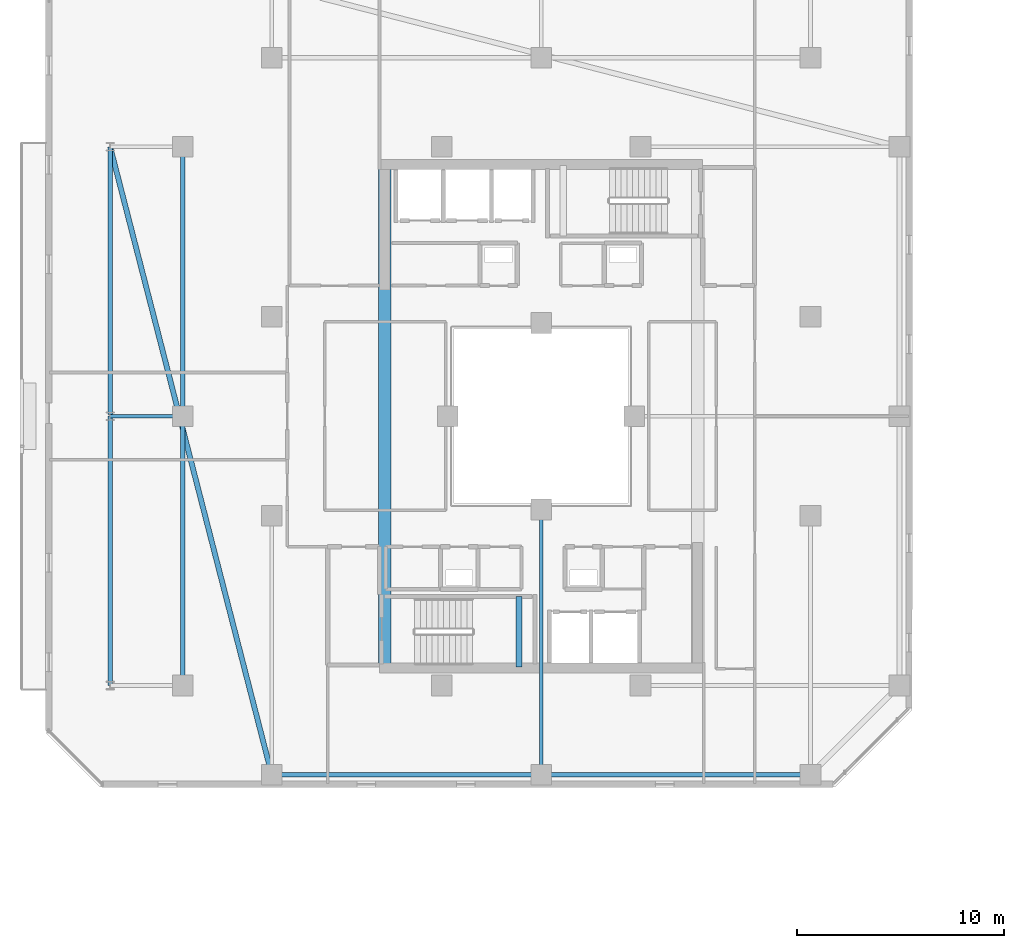
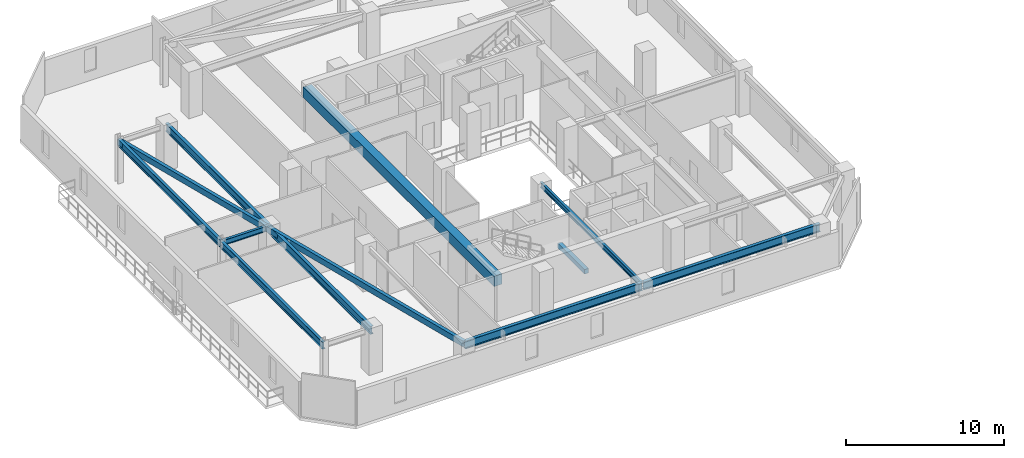
# One storey, part 4 of 33: 11 beams.
"""IFC4 building model written with IfcOpenShell, lengths in metres."""

import ifcopenshell
import ifcopenshell.guid

model = None  # the IFC model being written
_history = None  # IfcOwnerHistory: only IFC2X3 demands one
_inside = {}  # id of a spatial element -> (the spatial element, [elements in it])
_under = {}  # id of a project, library or spatial element -> (it, [spatial elements below it])
_declared = {}  # id of a project -> (the project, [libraries it declares])
_typed = {}  # id of a type object -> (the type object, [elements of that type])
_made_of = {}  # id of a material, layer set ... -> (it, [elements and type objects made of it])


def new_model(schema):
    """Start an empty IFC model of exactly this schema.

    Asked for "IFC4X3", IfcOpenShell would pick the latest addendum, in which some entities
    have other attributes; the version numbers below select the first issue.
    IFC2X3 requires an IfcOwnerHistory on every rooted entity: one is made here for all.
    """
    global model, _history
    if schema == "IFC4X3":
        model = ifcopenshell.file(schema_version=(4, 3, 0, 0))
    else:
        model = ifcopenshell.file(schema=schema)
    _inside.clear()
    _under.clear()
    _declared.clear()
    _typed.clear()
    _made_of.clear()
    _history = None
    if model.schema == "IFC2X3":
        org = make("IfcOrganization", Name="unknown")
        user = make(
            "IfcPersonAndOrganization",
            ThePerson=make("IfcPerson", FamilyName="unknown"),
            TheOrganization=org,
        )
        app = make(
            "IfcApplication",
            ApplicationDeveloper=org,
            Version="unknown",
            ApplicationFullName="unknown",
            ApplicationIdentifier="unknown",
        )
        _history = make(
            "IfcOwnerHistory",
            OwningUser=user,
            OwningApplication=app,
            ChangeAction="ADDED",
            CreationDate=0,
        )
    return model


def make(cls, **values):
    """One entity of the class cls with the attributes given. An attribute that is None is left unset."""
    return model.create_entity(
        cls, **{name: value for name, value in values.items() if value is not None}
    )


def rooted(cls, **values):
    """An entity with a GlobalId (a new one), such as an element, a storey or a relation."""
    return make(cls, GlobalId=ifcopenshell.guid.new(), OwnerHistory=_history, **values)


def si_unit(unit_type, name, prefix=None):
    """IfcSIUnit, for example si_unit("LENGTHUNIT", "METRE", prefix="MILLI")."""
    return make("IfcSIUnit", UnitType=unit_type, Prefix=prefix, Name=name)


def assignment(units):
    """IfcUnitAssignment: the units of a project."""
    return None if units is None else make("IfcUnitAssignment", Units=units)


def point(xyz):
    """IfcCartesianPoint."""
    return None if xyz is None else make("IfcCartesianPoint", Coordinates=xyz)


def direction(xyz):
    """IfcDirection."""
    return None if xyz is None else make("IfcDirection", DirectionRatios=xyz)


def frame(location, z_axis=None, x_axis=None):
    """IfcAxis2Placement3D, a coordinate frame: its origin and axes. An axis left out is left unset."""
    return make(
        "IfcAxis2Placement3D",
        Location=point(location),
        Axis=direction(z_axis),
        RefDirection=direction(x_axis),
    )


def frame_2d(location, x_axis=None):
    """IfcAxis2Placement2D, a coordinate frame in the plane: its origin and x axis."""
    return make(
        "IfcAxis2Placement2D", Location=point(location), RefDirection=direction(x_axis)
    )


def origin():
    """The frame at (0, 0, 0) with its axes left unset."""
    return frame((0.0, 0.0, 0.0))


def origin_2d():
    """The frame at (0, 0) in the plane with its x axis left unset."""
    return frame_2d((0.0, 0.0))


def place(relative_to, where):
    """IfcLocalPlacement: puts the frame where relative to a parent placement (None: the world)."""
    return make(
        "IfcLocalPlacement", PlacementRelTo=relative_to, RelativePlacement=where
    )


def context(
    kind, dimensions, precision=None, world=None, true_north=None, identifier=None
):
    """IfcGeometricRepresentationContext, for example the 3D "Model" context."""
    return make(
        "IfcGeometricRepresentationContext",
        ContextIdentifier=identifier,
        ContextType=kind,
        CoordinateSpaceDimension=dimensions,
        Precision=precision,
        WorldCoordinateSystem=world,
        TrueNorth=true_north,
    )


def subcontext(parent, identifier, kind, view, scale=None):
    """IfcGeometricRepresentationSubContext, for example "Body" below "Model"."""
    return make(
        "IfcGeometricRepresentationSubContext",
        ContextIdentifier=identifier,
        ContextType=kind,
        ParentContext=parent,
        TargetScale=scale,
        TargetView=view,
    )


def project(units=None, contexts=None):
    """IfcProject with its units and contexts."""
    return rooted(
        "IfcProject",
        Name="project",
        RepresentationContexts=contexts,
        UnitsInContext=assignment(units),
    )


def spatial(cls, under=None, at=None, **own):
    """A site, building, storey or space (cls), placed at a placement, below another one or the project."""
    s = rooted(cls, ObjectPlacement=at, **own)
    if under is not None:
        _under.setdefault(under.id(), (under, []))[1].append(s)
    return s


def profile(cls, at=None, kind="AREA", **sizes):
    """A parametric profile (cls). Its sizes go by their IFC names, for example OverallWidth=200.0."""
    return make(cls, ProfileType=kind, Position=at, **sizes)


def rectangle(**sizes):
    """IfcRectangleProfileDef."""
    return profile("IfcRectangleProfileDef", **sizes)


def hollow_rectangle(**sizes):
    """IfcRectangleHollowProfileDef."""
    return profile("IfcRectangleHollowProfileDef", **sizes)


def i_section(**sizes):
    """IfcIShapeProfileDef."""
    return profile("IfcIShapeProfileDef", **sizes)


def extrude(swept, where, along, depth):
    """IfcExtrudedAreaSolid: the profile swept, set in the frame where, extruded along a direction by depth."""
    return make(
        "IfcExtrudedAreaSolid",
        SweptArea=swept,
        Position=where,
        ExtrudedDirection=direction(along),
        Depth=depth,
    )


def shape(context_of_items, identifier, shape_type, items):
    """IfcShapeRepresentation: the items that make up one representation, for example the "Body"."""
    return make(
        "IfcShapeRepresentation",
        ContextOfItems=context_of_items,
        RepresentationIdentifier=identifier,
        RepresentationType=shape_type,
        Items=items,
    )


def material(Name=None, Category=None):
    """IfcMaterial."""
    return make("IfcMaterial", Name=Name, Category=Category)


def material_profile(
    of_material, cross_section, Name=None, Category=None, Priority=None
):
    """IfcMaterialProfile: a cross section and its material."""
    return make(
        "IfcMaterialProfile",
        Name=Name,
        Material=of_material,
        Profile=cross_section,
        Priority=Priority,
        Category=Category,
    )


def profile_set(profiles, Name=None, composite=None):
    """IfcMaterialProfileSet."""
    return make(
        "IfcMaterialProfileSet",
        Name=Name,
        MaterialProfiles=profiles,
        CompositeProfile=composite,
    )


def made_of(thing, what):
    """Note that an element or type object is made of a material, layer set ...; save() writes the relation."""
    if what is not None:
        _made_of.setdefault(what.id(), (what, []))[1].append(thing)
    return thing


def type_object(cls, material=None, **own):
    """A type object (cls), such as IfcWallType, which elements share."""
    return made_of(rooted(cls, **own), material)


def element(
    cls,
    number,
    at=None,
    inside=None,
    cuts=None,
    type_object=None,
    material=None,
    context=None,
    identifier="Body",
    shape_type=None,
    held_by="IfcProductDefinitionShape",
    body=None,
    shapes=None,
    **own,
):
    """One element of the class cls, such as IfcWall. Its Tag is "e" and its number.

    at: its placement. inside: the storey or other place that contains it. cuts: it is an
    opening in that element (IfcRelVoidsElement). A single representation is given by context,
    identifier, shape_type and body (its items); several are given by shapes. held_by: the class
    of the entity that holds the representations. save() writes the other relations.
    """
    e = rooted(cls, Tag="e%d" % number, ObjectPlacement=at, **own)
    if body is not None:
        shapes = [shape(context, identifier, shape_type, body)]
    if shapes is not None:
        e.Representation = make(held_by, Representations=shapes)
    if inside is not None:
        _inside.setdefault(inside.id(), (inside, []))[1].append(e)
    if cuts is not None:
        rooted(
            "IfcRelVoidsElement", RelatingBuildingElement=cuts, RelatedOpeningElement=e
        )
    if type_object is not None:
        _typed.setdefault(type_object.id(), (type_object, []))[1].append(e)
    return made_of(e, material)


def aggregate(whole, parts):
    """IfcRelAggregates: a whole, such as a stair, and the parts it consists of."""
    return rooted("IfcRelAggregates", RelatingObject=whole, RelatedObjects=parts)


def save(model, path):
    """Write the relations noted so far, then the file.

    IfcRelAggregates (storeys below a building ...), IfcRelContainedInSpatialStructure (elements
    in a storey), IfcRelDefinesByType, IfcRelAssociatesMaterial and IfcRelDeclares: one each for
    every whole, place, type object, material and project.
    """
    for whole, parts in _under.values():
        aggregate(whole, parts)
    for where, things in _inside.values():
        rooted(
            "IfcRelContainedInSpatialStructure",
            RelatedElements=things,
            RelatingStructure=where,
        )
    for kind, things in _typed.values():
        rooted("IfcRelDefinesByType", RelatedObjects=things, RelatingType=kind)
    for what, things in _made_of.values():
        rooted("IfcRelAssociatesMaterial", RelatedObjects=things, RelatingMaterial=what)
    for by, libraries in _declared.values():
        rooted("IfcRelDeclares", RelatingContext=by, RelatedDefinitions=libraries)
    model.write(path)


model = new_model("IFC4")

# Units and contexts
model_context = context("Model", 3, precision=1e-05, world=origin(), true_north=direction((0.0, 1.0)))
body_context = subcontext(model_context, "Body", "Model", "MODEL_VIEW")
ifc_project = project(units=[si_unit("LENGTHUNIT", "METRE"), si_unit("AREAUNIT", "SQUARE_METRE"), si_unit("VOLUMEUNIT", "CUBIC_METRE"), si_unit("PLANEANGLEUNIT", "RADIAN"), si_unit("MASSUNIT", "GRAM", prefix="KILO")], contexts=[model_context])

# Site, building, storey
site_placement = place(None, origin())
site = spatial("IfcSite", under=ifc_project, at=site_placement, CompositionType="ELEMENT")
building_placement = place(site_placement, origin())
building = spatial("IfcBuilding", under=site, at=building_placement, Name="Thornwick Lancets Civic Towers", CompositionType="ELEMENT")
storey_placement = place(building_placement, frame((0.0, 0.0, 207.300048828125)))
storey = spatial("IfcBuildingStorey", under=building, at=storey_placement, Name="L55", CompositionType="ELEMENT", Elevation=207.300048828125)

# Beams
ifc_material_1 = material(Name="Concrete C60/75", Category="concrete")
ifc_material_profile_1 = material_profile(ifc_material_1, rectangle(XDim=0.60009765625, YDim=0.800048828125, at=origin_2d()), Name="RC 600x800")
ifc_profile_set_1 = profile_set([ifc_material_profile_1], Name="Concrete C60/75")
beam_type_1 = type_object("IfcBeamType", Name="BM_COUP_RC800", PredefinedType="BEAM", material=ifc_profile_set_1)
beam_1_placement = place(storey_placement, frame((17.949951171875, 14.89990234375, 2.9599609375), z_axis=(0.0, 1.0, 0.0), x_axis=(-1.0, 0.0, 0.0)))
element("IfcBeam", 1, at=beam_1_placement, inside=storey, type_object=beam_type_1, Name="CB-L55-A2", PredefinedType="BEAM", context=body_context, shape_type="SweptSolid", body=[
    extrude(rectangle(XDim=0.60009765625, YDim=0.800048828125, at=origin_2d()), origin(), (0.0, 0.0, 1.0), 24.2001953125),
])
ifc_material_2 = material(Name="Steel S355JR", Category="steel")
ifc_material_profile_2 = material_profile(ifc_material_2, i_section(OverallWidth=0.210693359375, OverallDepth=0.53955078125, WebThickness=0.01171875, FlangeThickness=0.018798828125, FilletRadius=0.0126953125, at=origin_2d()), Name="UKB 533x210x109")
ifc_profile_set_2 = profile_set([ifc_material_profile_2], Name="Steel S355JR")
beam_type_2 = type_object("IfcBeamType", Name="BM_EDGE_533_109", PredefinedType="SPANDREL", material=ifc_profile_set_2)
beam_2_placement = place(storey_placement, frame((4.699951171875, 14.0, 3.09033203125), z_axis=(0.0, 1.0, 0.0), x_axis=(-1.0, 0.0, 0.0)))
element("IfcBeam", 2, at=beam_2_placement, inside=storey, type_object=beam_type_2, Name="BM-EDGE-L55-A-S3-1", PredefinedType="SPANDREL", context=body_context, shape_type="SweptSolid", body=[
    extrude(i_section(OverallWidth=0.210693359375, OverallDepth=0.53955078125, WebThickness=0.01171875, FlangeThickness=0.018798828125, FilletRadius=0.0126953125, at=origin_2d()), origin(), (0.0, 0.0, 1.0), 13.0),
])
beam_3_placement = place(storey_placement, frame((4.699951171875, 27.080078125, 3.09033203125), z_axis=(0.0, 1.0, 0.0), x_axis=(-1.0, 0.0, 0.0)))
element("IfcBeam", 3, at=beam_3_placement, inside=storey, type_object=beam_type_2, Name="BM-EDGE-L55-A-S3-2", PredefinedType="SPANDREL", context=body_context, shape_type="SweptSolid", body=[
    extrude(i_section(OverallWidth=0.210693359375, OverallDepth=0.53955078125, WebThickness=0.01171875, FlangeThickness=0.018798828125, FilletRadius=0.0126953125, at=origin_2d()), origin(), (0.0, 0.0, 1.0), 12.919921875),
])
ifc_material_profile_3 = material_profile(ifc_material_2, i_section(OverallWidth=0.230224609375, OverallDepth=0.6171875, WebThickness=0.01318359375, FlangeThickness=0.022216796875, FilletRadius=0.0126953125, at=origin_2d()), Name="UKB 610x229x140")
ifc_profile_set_3 = profile_set([ifc_material_profile_3], Name="Steel S355JR")
beam_type_3 = type_object("IfcBeamType", Name="BM_GIRD_610_140", PredefinedType="BEAM", material=ifc_profile_set_3)
beam_4_placement = place(storey_placement, frame((12.5, 9.699951171875, 3.05126953125), z_axis=(1.0, 0.0, 0.0), x_axis=(0.0, 1.0, 0.0)))
element("IfcBeam", 4, at=beam_4_placement, inside=storey, type_object=beam_type_3, Name="BM-SPINE-L55-A-0-1", PredefinedType="BEAM", context=body_context, shape_type="SweptSolid", body=[
    extrude(i_section(OverallWidth=0.230224609375, OverallDepth=0.6171875, WebThickness=0.01318359375, FlangeThickness=0.022216796875, FilletRadius=0.0126953125, at=origin_2d()), origin(), (0.0, 0.0, 1.0), 13.0),
])
beam_5_placement = place(storey_placement, frame((25.580078125, 9.699951171875, 3.05126953125), z_axis=(1.0, 0.0, 0.0), x_axis=(0.0, 1.0, 0.0)))
element("IfcBeam", 5, at=beam_5_placement, inside=storey, type_object=beam_type_3, Name="BM-SPINE-L55-A-1-2", PredefinedType="BEAM", context=body_context, shape_type="SweptSolid", body=[
    extrude(i_section(OverallWidth=0.230224609375, OverallDepth=0.6171875, WebThickness=0.01318359375, FlangeThickness=0.022216796875, FilletRadius=0.0126953125, at=origin_2d()), origin(), (0.0, 0.0, 1.0), 12.919921875),
])
beam_6_placement = place(storey_placement, frame((8.199951171875, 14.0, 3.05126953125), z_axis=(0.0, 1.0, 0.0), x_axis=(-1.0, 0.0, 0.0)))
element("IfcBeam", 6, at=beam_6_placement, inside=storey, type_object=beam_type_3, Name="BM-SPINE-L55-A-9-10", PredefinedType="BEAM", context=body_context, shape_type="SweptSolid", body=[
    extrude(i_section(OverallWidth=0.230224609375, OverallDepth=0.6171875, WebThickness=0.01318359375, FlangeThickness=0.022216796875, FilletRadius=0.0126953125, at=origin_2d()), origin(), (0.0, 0.0, 1.0), 13.0),
])
beam_7_placement = place(storey_placement, frame((8.199951171875, 27.080078125, 3.05126953125), z_axis=(0.0, 1.0, 0.0), x_axis=(-1.0, 0.0, 0.0)))
element("IfcBeam", 7, at=beam_7_placement, inside=storey, type_object=beam_type_3, Name="BM-SPINE-L55-A-10-11", PredefinedType="BEAM", context=body_context, shape_type="SweptSolid", body=[
    extrude(i_section(OverallWidth=0.230224609375, OverallDepth=0.6171875, WebThickness=0.01318359375, FlangeThickness=0.022216796875, FilletRadius=0.0126953125, at=origin_2d()), origin(), (0.0, 0.0, 1.0), 12.919921875),
])
ifc_material_profile_4 = material_profile(ifc_material_2, i_section(OverallWidth=0.179443359375, OverallDepth=0.412841796875, WebThickness=0.009521484375, FlangeThickness=0.01611328125, FilletRadius=0.01025390625, at=origin_2d()), Name="UKB 406x178x74")
ifc_profile_set_4 = profile_set([ifc_material_profile_4], Name="Steel S355JR")
beam_type_4 = type_object("IfcBeamType", Name="BM_JOIST_406_74", PredefinedType="JOIST", material=ifc_profile_set_4)
beam_8_placement = place(storey_placement, frame((25.5, 22.5, 3.153564453125), z_axis=(0.0, -1.0, 0.0), x_axis=(1.0, 0.0, 0.0)))
element("IfcBeam", 8, at=beam_8_placement, inside=storey, type_object=beam_type_4, Name="BM-RADIN-L55-A02", PredefinedType="JOIST", context=body_context, shape_type="SweptSolid", body=[
    extrude(i_section(OverallWidth=0.179443359375, OverallDepth=0.412841796875, WebThickness=0.009521484375, FlangeThickness=0.01611328125, FilletRadius=0.01025390625, at=origin_2d()), origin(), (0.0, 0.0, 1.0), 12.800048828125),
])
beam_9_placement = place(storey_placement, frame((8.199951171875, 27.0, 3.153564453125), z_axis=(-1.0, 0.0, 0.0), x_axis=(0.0, -1.0, 0.0)))
element("IfcBeam", 9, at=beam_9_placement, inside=storey, type_object=beam_type_4, Name="BM-RAD-L55-A11", PredefinedType="JOIST", context=body_context, shape_type="SweptSolid", body=[
    extrude(i_section(OverallWidth=0.179443359375, OverallDepth=0.412841796875, WebThickness=0.009521484375, FlangeThickness=0.01611328125, FilletRadius=0.01025390625, at=origin_2d()), origin(), (0.0, 0.0, 1.0), 3.5),
])
ifc_material_profile_5 = material_profile(ifc_material_2, hollow_rectangle(XDim=0.25, YDim=0.449951171875, WallThickness=0.01611328125, at=origin_2d()), Name="RHS 450x250x16")
ifc_profile_set_5 = profile_set([ifc_material_profile_5], Name="Steel S355JR")
beam_type_5 = type_object("IfcBeamType", Name="BM_RING_RHS450", PredefinedType="BEAM", material=ifc_profile_set_5)
beam_10_placement = place(storey_placement, frame((4.699951171875, 40.0, 3.135009765625), z_axis=(0.249299080716, -0.96842654257, 0.0), x_axis=(0.96842654257, 0.249299080716, 0.0)))
element("IfcBeam", 10, at=beam_10_placement, inside=storey, type_object=beam_type_5, Name="BM-CHAMF-L55-A-C3", PredefinedType="BEAM", context=body_context, shape_type="SweptSolid", body=[
    extrude(hollow_rectangle(XDim=0.25, YDim=0.449951171875, WallThickness=0.01611328125, at=origin_2d()), origin(), (0.0, 0.0, 1.0), 31.287841796875),
])
ifc_material_3 = material(Name="Concrete C40/50", Category="concrete")
ifc_material_profile_6 = material_profile(ifc_material_3, rectangle(XDim=0.300048828125, YDim=0.35009765625, at=origin_2d()), Name="RC 300x350")
ifc_profile_set_6 = profile_set([ifc_material_profile_6], Name="Concrete C40/50")
beam_type_6 = type_object("IfcBeamType", Name="BM_STAIR_LDG", PredefinedType="BEAM", material=ifc_profile_set_6)
beam_11_placement = place(storey_placement, frame((24.43505859375, 14.89990234375, 1.3779296875), z_axis=(0.0, 1.0, 0.0), x_axis=(-1.0, 0.0, 0.0)))
element("IfcBeam", 11, at=beam_11_placement, inside=storey, type_object=beam_type_6, Name="L55 ST-A1 Landing Support Beam 1", PredefinedType="BEAM", context=body_context, shape_type="SweptSolid", body=[
    extrude(rectangle(XDim=0.300048828125, YDim=0.35009765625, at=origin_2d()), origin(), (0.0, 0.0, 1.0), 3.400146484375),
])

save(model, "model.ifc")
